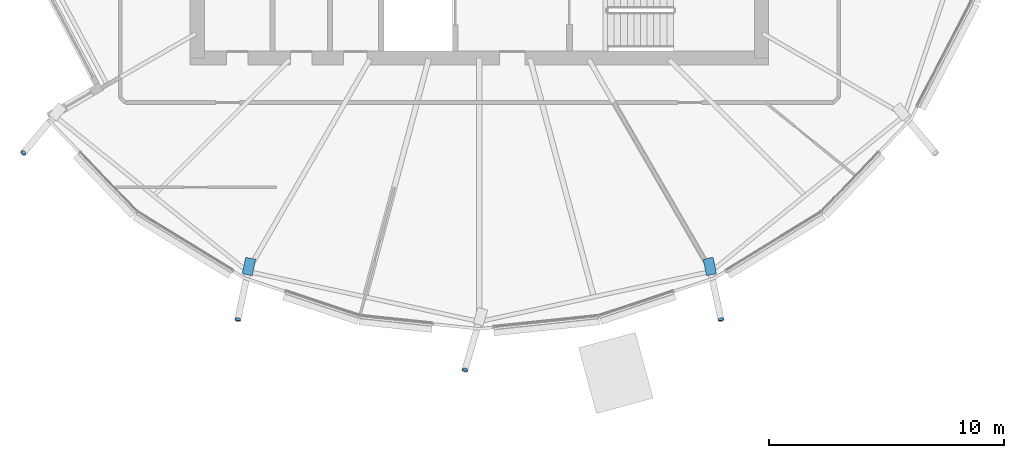
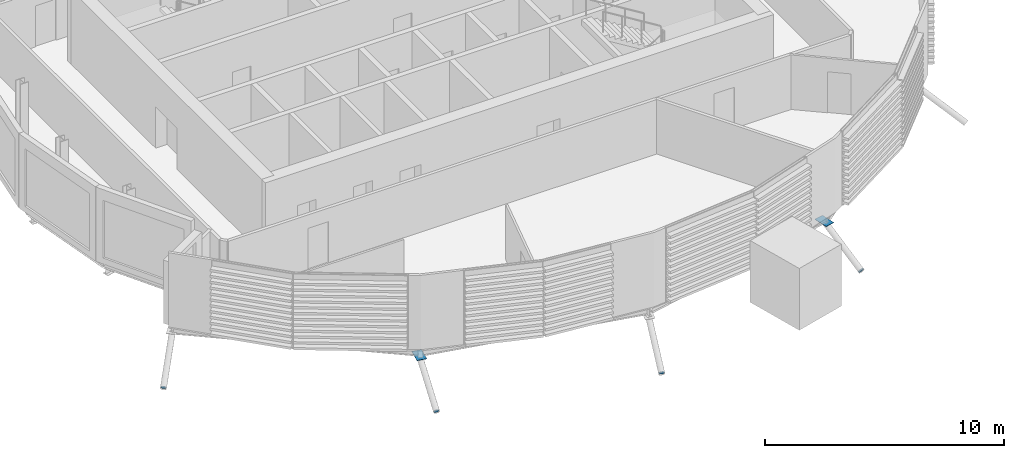
# One storey, part 26 of 38: 6 discrete accessories.
"""IFC4 building model written with IfcOpenShell, lengths in metres."""

from ifc_helpers import new_model, si_unit, direction, frame, origin, origin_2d, place, context, subcontext, project, spatial, polyline, rectangle, circle, outline, extrude, material, material_profile, profile_set, type_object, element, save


model = new_model("IFC4")

# Units and contexts
model_context = context("Model", 3, precision=1e-05, world=origin(), true_north=direction((0.0, 1.0)))
body_context = subcontext(model_context, "Body", "Model", "MODEL_VIEW")
ifc_project = project(units=[si_unit("LENGTHUNIT", "METRE"), si_unit("AREAUNIT", "SQUARE_METRE"), si_unit("VOLUMEUNIT", "CUBIC_METRE"), si_unit("PLANEANGLEUNIT", "RADIAN"), si_unit("MASSUNIT", "GRAM", prefix="KILO")], contexts=[model_context])

# Site, building, storey
site_placement = place(None, origin())
site = spatial("IfcSite", under=ifc_project, at=site_placement, CompositionType="ELEMENT")
building_placement = place(site_placement, origin())
building = spatial("IfcBuilding", under=site, at=building_placement, Name="Rimbun Link Towers", CompositionType="ELEMENT")
storey_placement = place(building_placement, frame((0.0, 0.0, 185.5)))
storey = spatial("IfcBuildingStorey", under=building, at=storey_placement, Name="L45", CompositionType="ELEMENT", Elevation=185.5)

# Discrete accessories
ifc_material_1 = material(Name="Steel S355J2H", Category="steel")
ifc_material_profile_1 = material_profile(ifc_material_1, circle(Radius=0.1240234375, at=origin_2d()), Name="PL D248")
ifc_profile_set_1 = profile_set([ifc_material_profile_1], Name="Steel S355J2H")
discrete_accessory_type_1 = type_object("IfcDiscreteAccessoryType", Name="Link foot sealing plate D248X20", PredefinedType="BRACKET", material=ifc_profile_set_1)
discrete_accessory_1_placement = place(storey_placement, frame((-51.1318359375, -12.029296875, -1.9033203125), z_axis=(-0.546106853226, -0.655328223871, -0.521835437527), x_axis=(0.768221279597, -0.640184399664, 0.0)))
element("IfcDiscreteAccessory", 1, at=discrete_accessory_1_placement, inside=storey, type_object=discrete_accessory_type_1, Name="Link foot sealing plate T1 L45 14", PredefinedType="BRACKET", context=body_context, shape_type="SweptSolid", body=[
    extrude(circle(Radius=0.1240234375, at=origin_2d()), origin(), (0.0, 0.0, 1.0), 0.02001953125),
])
discrete_accessory_2_placement = place(storey_placement, frame((-42.020751953125, -19.1123046875, -2.0087890625), z_axis=(-0.184833375936, -0.850233529307, -0.492889002497), x_axis=(0.977176363923, -0.212429644331, 0.0)))
element("IfcDiscreteAccessory", 2, at=discrete_accessory_2_placement, inside=storey, type_object=discrete_accessory_type_1, Name="Link foot sealing plate T1 L45 16", PredefinedType="BRACKET", context=body_context, shape_type="SweptSolid", body=[
    extrude(circle(Radius=0.1240234375, at=origin_2d()), origin(), (0.0, 0.0, 1.0), 0.019775390625),
])
discrete_accessory_3_placement = place(storey_placement, frame((-32.35791015625, -21.254150390625, -2.1396484375), z_axis=(-0.242749910714, -0.825349696426, -0.509774812498), x_axis=(0.959365501571, -0.282166323992, 0.0)))
element("IfcDiscreteAccessory", 3, at=discrete_accessory_3_placement, inside=storey, type_object=discrete_accessory_type_1, Name="Link foot sealing plate T1 L45 18", PredefinedType="BRACKET", context=body_context, shape_type="SweptSolid", body=[
    extrude(circle(Radius=0.1240234375, at=origin_2d()), origin(), (0.0, 0.0, 1.0), 0.02001953125),
])
discrete_accessory_4_placement = place(storey_placement, frame((-21.479248046875, -19.1123046875, -2.0087890625), z_axis=(0.184833375936, -0.850233529307, -0.492889002497), x_axis=(0.977176363923, 0.212429644331, 0.0)))
element("IfcDiscreteAccessory", 4, at=discrete_accessory_4_placement, inside=storey, type_object=discrete_accessory_type_1, Name="Link foot sealing plate T1 L45 20", PredefinedType="BRACKET", context=body_context, shape_type="SweptSolid", body=[
    extrude(circle(Radius=0.1240234375, at=origin_2d()), origin(), (0.0, 0.0, 1.0), 0.019775390625),
])
ifc_material_2 = material(Name="Steel S355J2H", Category="steel")
ifc_material_profile_2 = material_profile(ifc_material_2, rectangle(XDim=0.43310546875, YDim=0.43310546875, at=origin_2d()), Name="PL 433x433")
ifc_profile_set_2 = profile_set([ifc_material_profile_2], Name="Steel S355J2H")
discrete_accessory_type_2 = type_object("IfcDiscreteAccessoryType", Name="Link head end plate 433X20", PredefinedType="BRACKET", material=ifc_profile_set_2)
discrete_accessory_5_placement = place(storey_placement, frame((0.0, 0.0, -0.703125)))
element("IfcDiscreteAccessory", 5, at=discrete_accessory_5_placement, inside=storey, type_object=discrete_accessory_type_2, Name="Link head end plate T1 L45 16", PredefinedType="BRACKET", context=body_context, shape_type="SweptSolid", body=[
    extrude(outline(polyline([(-41.690185546875, -16.475830078125), (-41.8359375, -17.17236328125), (-41.412109375, -17.26123046875), (-41.266357421875, -16.564697265625), (-41.690185546875, -16.475830078125)])), origin(), (0.0, 0.0, 1.0), 0.02001953125),
])
discrete_accessory_6_placement = place(storey_placement, frame((0.0, 0.0, -0.703125)))
element("IfcDiscreteAccessory", 6, at=discrete_accessory_6_placement, inside=storey, type_object=discrete_accessory_type_2, Name="Link head end plate T1 L45 20", PredefinedType="BRACKET", context=body_context, shape_type="SweptSolid", body=[
    extrude(outline(polyline([(-22.233642578125, -16.564697265625), (-22.087890625, -17.26123046875), (-21.6640625, -17.17236328125), (-21.809814453125, -16.475830078125), (-22.233642578125, -16.564697265625)])), origin(), (0.0, 0.0, 1.0), 0.02001953125),
])

save(model, "model.ifc")
